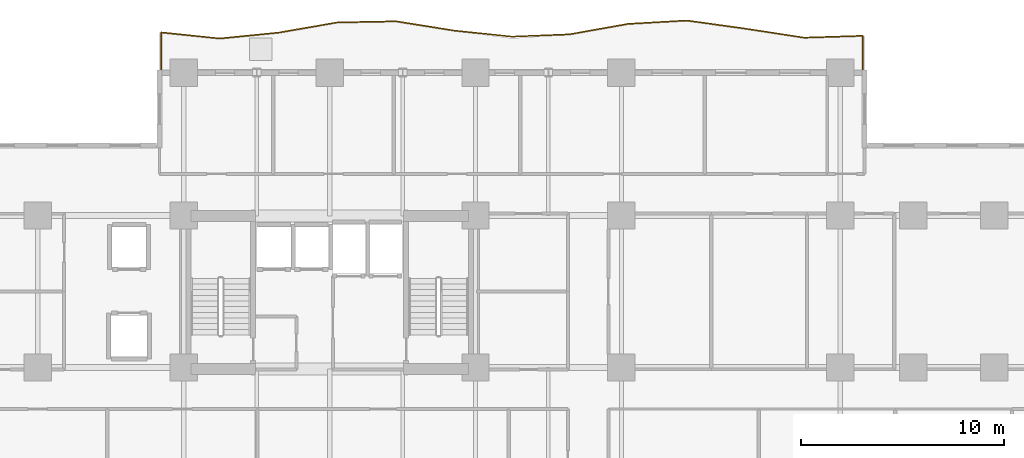
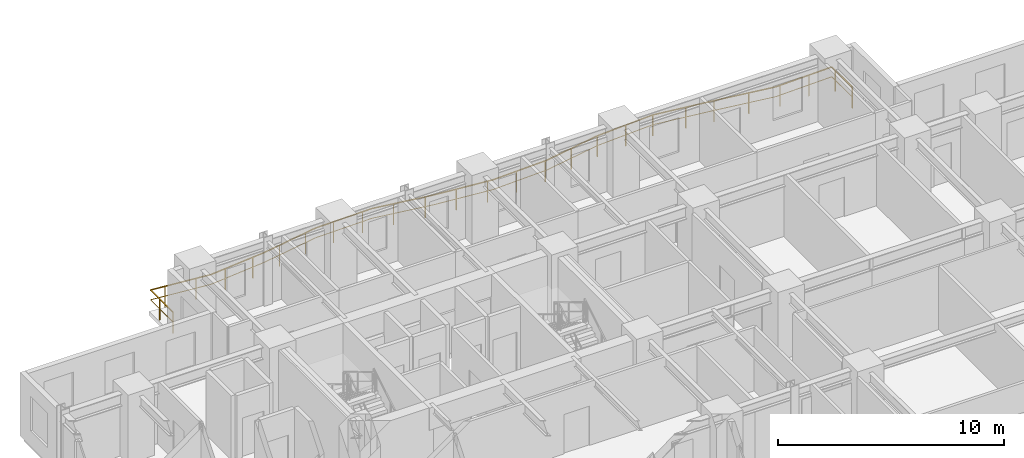
# One storey, part 11 of 11: 1 railing.
"""IFC4 building model written with IfcOpenShell, lengths in metres."""

from ifc_helpers import new_model, si_unit, direction, frame, origin, origin_2d, place, context, subcontext, project, spatial, rectangle, extrude, material, type_object, element, save


model = new_model("IFC4")

# Units and contexts
model_context = context("Model", 3, precision=1e-05, world=origin(), true_north=direction((0.0, 1.0)))
body_context = subcontext(model_context, "Body", "Model", "MODEL_VIEW")
ifc_project = project(units=[si_unit("LENGTHUNIT", "METRE"), si_unit("AREAUNIT", "SQUARE_METRE"), si_unit("VOLUMEUNIT", "CUBIC_METRE"), si_unit("PLANEANGLEUNIT", "RADIAN"), si_unit("MASSUNIT", "GRAM", prefix="KILO")], contexts=[model_context])

# Site, building, storey
site_placement = place(None, origin())
site = spatial("IfcSite", under=ifc_project, at=site_placement, CompositionType="ELEMENT")
building_placement = place(site_placement, origin())
building = spatial("IfcBuilding", under=site, at=building_placement, Name="Kaliganga Portal Commons", CompositionType="ELEMENT")
storey_placement = place(building_placement, frame((0.0, 0.0, 51.199951171875)))
storey = spatial("IfcBuildingStorey", under=building, at=storey_placement, Name="L12", CompositionType="ELEMENT", Elevation=51.199951171875)

# Railing
ifc_material = material(Name="Laminated Safety Glass and Stainless Steel 316", Category="steel")
railing_type = type_object("IfcRailingType", Name="RLG-BAL-1150", PredefinedType="BALUSTRADE", material=ifc_material)
railing_placement = place(storey_placement, frame((47.92041015625, 43.208251953125, 0.0)))
element("IfcRailing", 1, at=railing_placement, inside=storey, type_object=railing_type, Name="Balcony Guardrail L12 balc_north", PredefinedType="BALUSTRADE", context=body_context, shape_type="SweptSolid", body=[
    extrude(rectangle(XDim=0.048095703125, YDim=0.048095703125, at=origin_2d()), frame((0.0, 0.0, 1.1259765625), z_axis=(-0.000269469136, 0.999999963693, 0.0), x_axis=(-0.999999963693, -0.000269469136, 0.0)), (0.0, 0.0, 1.0), 1.81201171875),
    extrude(rectangle(XDim=0.028076171875, YDim=0.028076171875, at=origin_2d()), frame((0.0, 0.0, 0.597900390625), z_axis=(-0.000269469136, 0.999999963693, 0.0), x_axis=(-0.999999963693, -0.000269469136, 0.0)), (0.0, 0.0, 1.0), 1.81201171875),
    extrude(rectangle(XDim=0.048095703125, YDim=0.048095703125, at=origin_2d()), frame((-0.00048828125, 1.81201171875, 1.1259765625), z_axis=(-0.999499351622, -0.031639312697, 0.0), x_axis=(0.031639312697, -0.999499351622, 0.0)), (0.0, 0.0, 1.0), 2.9013671875),
    extrude(rectangle(XDim=0.028076171875, YDim=0.028076171875, at=origin_2d()), frame((-0.00048828125, 1.81201171875, 0.597900390625), z_axis=(-0.999499351622, -0.031639312697, 0.0), x_axis=(0.031639312697, -0.999499351622, 0.0)), (0.0, 0.0, 1.0), 2.9013671875),
    extrude(rectangle(XDim=0.048095703125, YDim=0.048095703125, at=origin_2d()), frame((-2.900390625, 1.72021484375, 1.1259765625), z_axis=(-0.988401500566, 0.151863338822, 0.0), x_axis=(-0.151863338822, -0.988401500566, 0.0)), (0.0, 0.0, 1.0), 2.933837890625),
    extrude(rectangle(XDim=0.028076171875, YDim=0.028076171875, at=origin_2d()), frame((-2.900390625, 1.72021484375, 0.597900390625), z_axis=(-0.988401500566, 0.151863338822, 0.0), x_axis=(-0.151863338822, -0.988401500566, 0.0)), (0.0, 0.0, 1.0), 2.933837890625),
    extrude(rectangle(XDim=0.048095703125, YDim=0.048095703125, at=origin_2d()), frame((-5.80029296875, 2.165771484375, 1.1259765625), z_axis=(-0.990579823892, 0.136936527263, 0.0), x_axis=(-0.136936527263, -0.990579823892, 0.0)), (0.0, 0.0, 1.0), 2.927490234375),
    extrude(rectangle(XDim=0.028076171875, YDim=0.028076171875, at=origin_2d()), frame((-5.80029296875, 2.165771484375, 0.597900390625), z_axis=(-0.990579823892, 0.136936527263, 0.0), x_axis=(-0.136936527263, -0.990579823892, 0.0)), (0.0, 0.0, 1.0), 2.927490234375),
    extrude(rectangle(XDim=0.048095703125, YDim=0.048095703125, at=origin_2d()), frame((-8.7001953125, 2.566650390625, 1.1259765625), z_axis=(-0.998331566542, -0.057741520981, 0.0), x_axis=(0.057741520981, -0.998331566542, 0.0)), (0.0, 0.0, 1.0), 2.90478515625),
    extrude(rectangle(XDim=0.028076171875, YDim=0.028076171875, at=origin_2d()), frame((-8.7001953125, 2.566650390625, 0.597900390625), z_axis=(-0.998331566542, -0.057741520981, 0.0), x_axis=(0.057741520981, -0.998331566542, 0.0)), (0.0, 0.0, 1.0), 2.90478515625),
    extrude(rectangle(XDim=0.048095703125, YDim=0.048095703125, at=origin_2d()), frame((-11.60009765625, 2.39892578125, 1.1259765625), z_axis=(-0.984591059627, -0.17487265453, 0.0), x_axis=(0.17487265453, -0.984591059627, 0.0)), (0.0, 0.0, 1.0), 2.94580078125),
    extrude(rectangle(XDim=0.028076171875, YDim=0.028076171875, at=origin_2d()), frame((-11.60009765625, 2.39892578125, 0.597900390625), z_axis=(-0.984591059627, -0.17487265453, 0.0), x_axis=(0.17487265453, -0.984591059627, 0.0)), (0.0, 0.0, 1.0), 2.94580078125),
    extrude(rectangle(XDim=0.048095703125, YDim=0.048095703125, at=origin_2d()), frame((-14.50048828125, 1.8837890625, 1.1259765625), z_axis=(-0.99917659204, -0.040572625253, 0.0), x_axis=(0.040572625253, -0.99917659204, 0.0)), (0.0, 0.0, 1.0), 2.822265625),
    extrude(rectangle(XDim=0.028076171875, YDim=0.028076171875, at=origin_2d()), frame((-14.50048828125, 1.8837890625, 0.597900390625), z_axis=(-0.99917659204, -0.040572625253, 0.0), x_axis=(0.040572625253, -0.99917659204, 0.0)), (0.0, 0.0, 1.0), 2.822265625),
    extrude(rectangle(XDim=0.048095703125, YDim=0.048095703125, at=origin_2d()), frame((-17.3203125, 1.769287109375, 1.1259765625), z_axis=(-0.994533247809, 0.104420395533, 0.0), x_axis=(-0.104420395533, -0.994533247809, 0.0)), (0.0, 0.0, 1.0), 2.836181640625),
    extrude(rectangle(XDim=0.028076171875, YDim=0.028076171875, at=origin_2d()), frame((-17.3203125, 1.769287109375, 0.597900390625), z_axis=(-0.994533247809, 0.104420395533, 0.0), x_axis=(-0.104420395533, -0.994533247809, 0.0)), (0.0, 0.0, 1.0), 2.836181640625),
    extrude(rectangle(XDim=0.048095703125, YDim=0.048095703125, at=origin_2d()), frame((-20.140869140625, 2.0654296875, 1.1259765625), z_axis=(-0.987552439779, 0.157290109947, 0.0), x_axis=(-0.157290109947, -0.987552439779, 0.0)), (0.0, 0.0, 1.0), 2.936767578125),
    extrude(rectangle(XDim=0.028076171875, YDim=0.028076171875, at=origin_2d()), frame((-20.140869140625, 2.0654296875, 0.597900390625), z_axis=(-0.987552439779, 0.157290109947, 0.0), x_axis=(-0.157290109947, -0.987552439779, 0.0)), (0.0, 0.0, 1.0), 2.936767578125),
    extrude(rectangle(XDim=0.048095703125, YDim=0.048095703125, at=origin_2d()), frame((-23.041015625, 2.52734375, 1.1259765625), z_axis=(-0.999814174039, -0.019277380303, 0.0), x_axis=(0.019277380303, -0.999814174039, 0.0)), (0.0, 0.0, 1.0), 2.900146484375),
    extrude(rectangle(XDim=0.028076171875, YDim=0.028076171875, at=origin_2d()), frame((-23.041015625, 2.52734375, 0.597900390625), z_axis=(-0.999814174039, -0.019277380303, 0.0), x_axis=(0.019277380303, -0.999814174039, 0.0)), (0.0, 0.0, 1.0), 2.900146484375),
    extrude(rectangle(XDim=0.048095703125, YDim=0.048095703125, at=origin_2d()), frame((-25.940673828125, 2.471435546875, 1.1259765625), z_axis=(-0.985387214448, -0.170329203609, 0.0), x_axis=(0.170329203609, -0.985387214448, 0.0)), (0.0, 0.0, 1.0), 2.942626953125),
    extrude(rectangle(XDim=0.028076171875, YDim=0.028076171875, at=origin_2d()), frame((-25.940673828125, 2.471435546875, 0.597900390625), z_axis=(-0.985387214448, -0.170329203609, 0.0), x_axis=(0.170329203609, -0.985387214448, 0.0)), (0.0, 0.0, 1.0), 2.942626953125),
    extrude(rectangle(XDim=0.048095703125, YDim=0.048095703125, at=origin_2d()), frame((-28.84033203125, 1.97021484375, 1.1259765625), z_axis=(-0.994994805252, -0.099926660718, 0.0), x_axis=(0.099926660718, -0.994994805252, 0.0)), (0.0, 0.0, 1.0), 2.914794921875),
    extrude(rectangle(XDim=0.028076171875, YDim=0.028076171875, at=origin_2d()), frame((-28.84033203125, 1.97021484375, 0.597900390625), z_axis=(-0.994994805252, -0.099926660718, 0.0), x_axis=(0.099926660718, -0.994994805252, 0.0)), (0.0, 0.0, 1.0), 2.914794921875),
    extrude(rectangle(XDim=0.048095703125, YDim=0.048095703125, at=origin_2d()), frame((-31.740478515625, 1.678955078125, 1.1259765625), z_axis=(-0.994672565379, 0.103084856708, 0.0), x_axis=(-0.103084856708, -0.994672565379, 0.0)), (0.0, 0.0, 1.0), 2.91552734375),
    extrude(rectangle(XDim=0.028076171875, YDim=0.028076171875, at=origin_2d()), frame((-31.740478515625, 1.678955078125, 0.597900390625), z_axis=(-0.994672565379, 0.103084856708, 0.0), x_axis=(-0.103084856708, -0.994672565379, 0.0)), (0.0, 0.0, 1.0), 2.91552734375),
    extrude(rectangle(XDim=0.048095703125, YDim=0.048095703125, at=origin_2d()), frame((-34.640380859375, 1.9794921875, 1.1259765625), z_axis=(-0.000246669948, -0.999999969577, 0.0), x_axis=(0.999999969577, -0.000246669948, 0.0)), (0.0, 0.0, 1.0), 1.9794921875),
    extrude(rectangle(XDim=0.028076171875, YDim=0.028076171875, at=origin_2d()), frame((-34.640380859375, 1.9794921875, 0.597900390625), z_axis=(-0.000246669948, -0.999999969577, 0.0), x_axis=(0.999999969577, -0.000246669948, 0.0)), (0.0, 0.0, 1.0), 1.9794921875),
    extrude(rectangle(XDim=0.0419921875, YDim=0.0419921875, at=origin_2d()), origin(), (0.0, 0.0, 1.0), 1.101806640625),
    extrude(rectangle(XDim=0.0419921875, YDim=0.0419921875, at=origin_2d()), frame((-0.00048828125, 1.5, 0.0)), (0.0, 0.0, 1.0), 1.101806640625),
    extrude(rectangle(XDim=0.0419921875, YDim=0.0419921875, at=origin_2d()), frame((-1.18798828125, 1.7744140625, 0.0)), (0.0, 0.0, 1.0), 1.101806640625),
    extrude(rectangle(XDim=0.0419921875, YDim=0.0419921875, at=origin_2d()), frame((-2.68701171875, 1.72705078125, 0.0)), (0.0, 0.0, 1.0), 1.101806640625),
    extrude(rectangle(XDim=0.0419921875, YDim=0.0419921875, at=origin_2d()), frame((-4.172119140625, 1.91552734375, 0.0)), (0.0, 0.0, 1.0), 1.101806640625),
    extrude(rectangle(XDim=0.0419921875, YDim=0.0419921875, at=origin_2d()), frame((-5.80029296875, 2.165771484375, 0.0)), (0.0, 0.0, 1.0), 1.101806640625),
    extrude(rectangle(XDim=0.0419921875, YDim=0.0419921875, at=origin_2d()), frame((-7.14013671875, 2.35107421875, 0.0)), (0.0, 0.0, 1.0), 1.101806640625),
    extrude(rectangle(XDim=0.0419921875, YDim=0.0419921875, at=origin_2d()), frame((-8.7001953125, 2.566650390625, 0.0)), (0.0, 0.0, 1.0), 1.101806640625),
    extrude(rectangle(XDim=0.0419921875, YDim=0.0419921875, at=origin_2d()), frame((-10.123046875, 2.484375, 0.0)), (0.0, 0.0, 1.0), 1.101806640625),
    extrude(rectangle(XDim=0.0419921875, YDim=0.0419921875, at=origin_2d()), frame((-11.620361328125, 2.395263671875, 0.0)), (0.0, 0.0, 1.0), 1.101806640625),
    extrude(rectangle(XDim=0.0419921875, YDim=0.0419921875, at=origin_2d()), frame((-13.09716796875, 2.133056640625, 0.0)), (0.0, 0.0, 1.0), 1.101806640625),
    extrude(rectangle(XDim=0.0419921875, YDim=0.0419921875, at=origin_2d()), frame((-14.5751953125, 1.880859375, 0.0)), (0.0, 0.0, 1.0), 1.101806640625),
    extrude(rectangle(XDim=0.0419921875, YDim=0.0419921875, at=origin_2d()), frame((-16.073974609375, 1.81982421875, 0.0)), (0.0, 0.0, 1.0), 1.101806640625),
    extrude(rectangle(XDim=0.0419921875, YDim=0.0419921875, at=origin_2d()), frame((-17.571533203125, 1.795654296875, 0.0)), (0.0, 0.0, 1.0), 1.101806640625),
    extrude(rectangle(XDim=0.0419921875, YDim=0.0419921875, at=origin_2d()), frame((-19.063232421875, 1.952392578125, 0.0)), (0.0, 0.0, 1.0), 1.101806640625),
    extrude(rectangle(XDim=0.0419921875, YDim=0.0419921875, at=origin_2d()), frame((-20.55224609375, 2.130859375, 0.0)), (0.0, 0.0, 1.0), 1.101806640625),
    extrude(rectangle(XDim=0.0419921875, YDim=0.0419921875, at=origin_2d()), frame((-22.033447265625, 2.366943359375, 0.0)), (0.0, 0.0, 1.0), 1.101806640625),
    extrude(rectangle(XDim=0.0419921875, YDim=0.0419921875, at=origin_2d()), frame((-23.520751953125, 2.51806640625, 0.0)), (0.0, 0.0, 1.0), 1.101806640625),
    extrude(rectangle(XDim=0.0419921875, YDim=0.0419921875, at=origin_2d()), frame((-25.0205078125, 2.4892578125, 0.0)), (0.0, 0.0, 1.0), 1.101806640625),
    extrude(rectangle(XDim=0.0419921875, YDim=0.0419921875, at=origin_2d()), frame((-26.51171875, 2.372802734375, 0.0)), (0.0, 0.0, 1.0), 1.101806640625),
    extrude(rectangle(XDim=0.0419921875, YDim=0.0419921875, at=origin_2d()), frame((-27.989990234375, 2.1171875, 0.0)), (0.0, 0.0, 1.0), 1.101806640625),
    extrude(rectangle(XDim=0.0419921875, YDim=0.0419921875, at=origin_2d()), frame((-29.47412109375, 1.906494140625, 0.0)), (0.0, 0.0, 1.0), 1.101806640625),
    extrude(rectangle(XDim=0.0419921875, YDim=0.0419921875, at=origin_2d()), frame((-30.966552734375, 1.756591796875, 0.0)), (0.0, 0.0, 1.0), 1.101806640625),
    extrude(rectangle(XDim=0.0419921875, YDim=0.0419921875, at=origin_2d()), frame((-32.458740234375, 1.75341796875, 0.0)), (0.0, 0.0, 1.0), 1.101806640625),
    extrude(rectangle(XDim=0.0419921875, YDim=0.0419921875, at=origin_2d()), frame((-33.950927734375, 1.907958984375, 0.0)), (0.0, 0.0, 1.0), 1.101806640625),
    extrude(rectangle(XDim=0.0419921875, YDim=0.0419921875, at=origin_2d()), frame((-34.640625, 1.1728515625, 0.0)), (0.0, 0.0, 1.0), 1.101806640625),
    extrude(rectangle(XDim=0.0419921875, YDim=0.0419921875, at=origin_2d()), frame((-34.640869140625, 0.0, 0.0)), (0.0, 0.0, 1.0), 1.101806640625),
])

save(model, "model.ifc")
